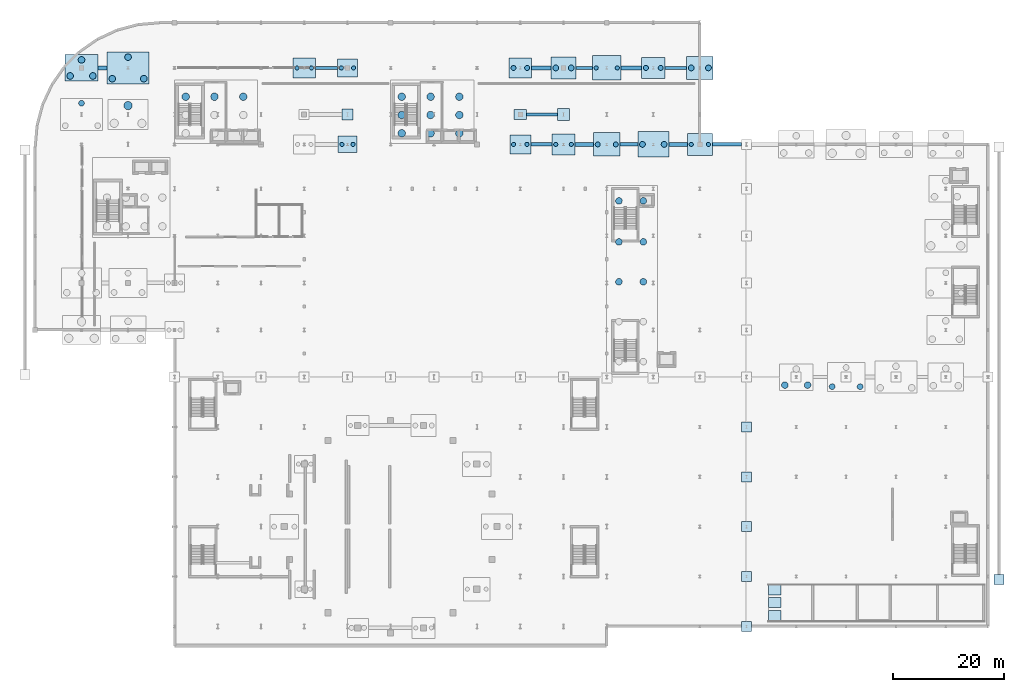
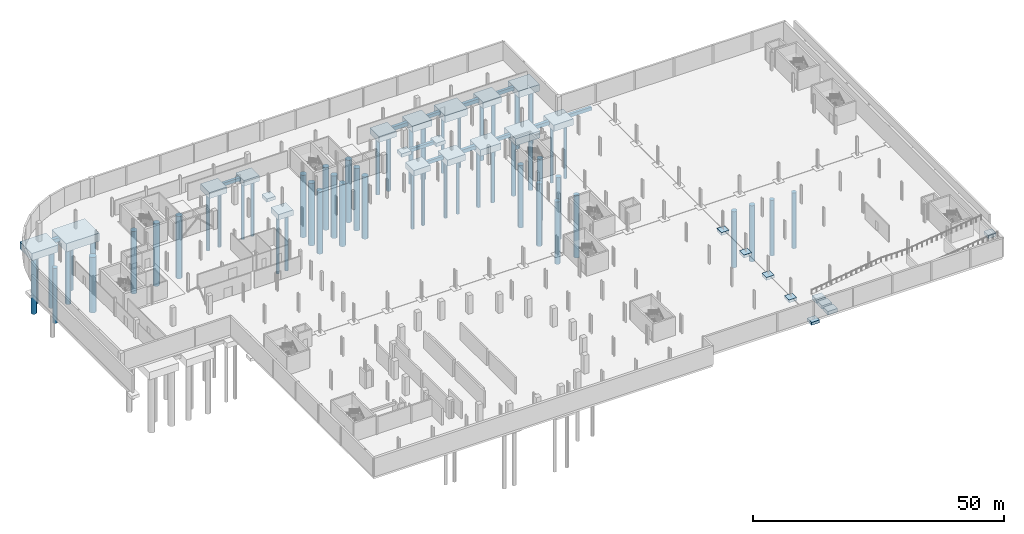
# One storey, part 2 of 45: 56 piles, 39 footings.
"""IFC4 building model written with IfcOpenShell, lengths in metres."""

from ifc_helpers import new_model, si_unit, direction, frame, origin, origin_2d, place, context, subcontext, project, spatial, rectangle, circle, extrude, material, material_profile, profile_set, type_object, element, save


model = new_model("IFC4")

# Units and contexts
model_context = context("Model", 3, precision=1e-05, world=origin(), true_north=direction((0.0, 1.0)))
body_context = subcontext(model_context, "Body", "Model", "MODEL_VIEW")
ifc_project = project(units=[si_unit("LENGTHUNIT", "METRE"), si_unit("AREAUNIT", "SQUARE_METRE"), si_unit("VOLUMEUNIT", "CUBIC_METRE"), si_unit("PLANEANGLEUNIT", "RADIAN"), si_unit("MASSUNIT", "GRAM", prefix="KILO")], contexts=[model_context])

# Site, building, storey
site_placement = place(None, origin())
site = spatial("IfcSite", under=ifc_project, at=site_placement, CompositionType="ELEMENT")
building_placement = place(site_placement, origin())
building = spatial("IfcBuilding", under=site, at=building_placement, Name="Sefraquen Railside Congress Hotel", CompositionType="ELEMENT")
storey_placement = place(building_placement, frame((0.0, 0.0, -4.5)))
storey = spatial("IfcBuildingStorey", under=building, at=storey_placement, Name="B01", CompositionType="ELEMENT", Elevation=-4.5)

# Footings
ifc_material_1 = material(Name="Concrete C40/50", Category="concrete")
footing_type_1 = type_object("IfcFootingType", Name="TF-FB-01", PredefinedType="FOOTING_BEAM", material=ifc_material_1)
footing_1_placement = place(storey_placement, frame((91.39990234375, 96.0, -1.5), z_axis=(0.0, 0.0, 1.0), x_axis=(1.0, 0.0, 0.0)))
element("IfcFooting", 1, at=footing_1_placement, inside=storey, type_object=footing_type_1, Name="Foundation tie beam FTG-FB-011", PredefinedType="FOOTING_BEAM", context=body_context, shape_type="SweptSolid", body=[
    extrude(rectangle(XDim=3.798095703125, YDim=0.60009765625, at=origin_2d()), origin(), (0.0, 0.0, 1.0), 0.800048828125),
])
footing_2_placement = place(storey_placement, frame((107.199951171875, 96.0, -1.5), z_axis=(0.0, 0.0, 1.0), x_axis=(1.0, 0.0, 0.0)))
element("IfcFooting", 2, at=footing_2_placement, inside=storey, type_object=footing_type_1, Name="Foundation tie beam FTG-FB-013", PredefinedType="FOOTING_BEAM", context=body_context, shape_type="SweptSolid", body=[
    extrude(rectangle(XDim=3.197998046875, YDim=0.60009765625, at=origin_2d()), origin(), (0.0, 0.0, 1.0), 0.800048828125),
])
footing_3_placement = place(storey_placement, frame((124.875, 96.0, -1.5), z_axis=(0.0, 0.0, 1.0), x_axis=(1.0, 0.0, 0.0)))
element("IfcFooting", 3, at=footing_3_placement, inside=storey, type_object=footing_type_1, Name="Foundation tie beam FTG-FB-015", PredefinedType="FOOTING_BEAM", context=body_context, shape_type="SweptSolid", body=[
    extrude(rectangle(XDim=5.248046875, YDim=0.60009765625, at=origin_2d()), origin(), (0.0, 0.0, 1.0), 0.800048828125),
])
footing_4_placement = place(storey_placement, frame((91.5, 101.39990234375, -1.5), z_axis=(0.0, 0.0, 1.0), x_axis=(1.0, 0.0, 0.0)))
element("IfcFooting", 4, at=footing_4_placement, inside=storey, type_object=footing_type_1, Name="Foundation tie beam FTG-FB-021", PredefinedType="FOOTING_BEAM", context=body_context, shape_type="SweptSolid", body=[
    extrude(rectangle(XDim=5.597900390625, YDim=0.60009765625, at=origin_2d()), origin(), (0.0, 0.0, 1.0), 0.800048828125),
])
footing_5_placement = place(storey_placement, frame((52.60009765625, 109.800048828125, -1.5), z_axis=(0.0, 0.0, 1.0), x_axis=(1.0, 0.0, 0.0)))
element("IfcFooting", 5, at=footing_5_placement, inside=storey, type_object=footing_type_1, Name="Foundation tie beam FTG-FB-023", PredefinedType="FOOTING_BEAM", context=body_context, shape_type="SweptSolid", body=[
    extrude(rectangle(XDim=3.998046875, YDim=0.60009765625, at=origin_2d()), origin(), (0.0, 0.0, 1.0), 0.800048828125),
])
footing_6_placement = place(storey_placement, frame((99.125, 109.800048828125, -1.5), z_axis=(0.0, 0.0, 1.0), x_axis=(1.0, 0.0, 0.0)))
element("IfcFooting", 6, at=footing_6_placement, inside=storey, type_object=footing_type_1, Name="Foundation tie beam FTG-FB-025", PredefinedType="FOOTING_BEAM", context=body_context, shape_type="SweptSolid", body=[
    extrude(rectangle(XDim=2.947998046875, YDim=0.60009765625, at=origin_2d()), origin(), (0.0, 0.0, 1.0), 0.800048828125),
])
footing_7_placement = place(storey_placement, frame((115.64990234375, 109.800048828125, -1.5), z_axis=(0.0, 0.0, 1.0), x_axis=(1.0, 0.0, 0.0)))
element("IfcFooting", 7, at=footing_7_placement, inside=storey, type_object=footing_type_1, Name="Foundation tie beam FTG-FB-027", PredefinedType="FOOTING_BEAM", context=body_context, shape_type="SweptSolid", body=[
    extrude(rectangle(XDim=3.89794921875, YDim=0.60009765625, at=origin_2d()), origin(), (0.0, 0.0, 1.0), 0.800048828125),
])
footing_type_2 = type_object("IfcFootingType", Name="TF-FB-02", PredefinedType="FOOTING_BEAM", material=ifc_material_1)
footing_8_placement = place(storey_placement, frame((99.14990234375, 96.0, -1.599853515625), z_axis=(0.0, 0.0, 1.0), x_axis=(1.0, 0.0, 0.0)))
element("IfcFooting", 8, at=footing_8_placement, inside=storey, type_object=footing_type_2, Name="Foundation tie beam FTG-FB-012", PredefinedType="FOOTING_BEAM", context=body_context, shape_type="SweptSolid", body=[
    extrude(rectangle(XDim=3.298095703125, YDim=0.699951171875, at=origin_2d()), origin(), (0.0, 0.0, 1.0), 0.89990234375),
])
footing_9_placement = place(storey_placement, frame((116.074951171875, 96.0, -1.599853515625), z_axis=(0.0, 0.0, 1.0), x_axis=(1.0, 0.0, 0.0)))
element("IfcFooting", 9, at=footing_9_placement, inside=storey, type_object=footing_type_2, Name="Foundation tie beam FTG-FB-014", PredefinedType="FOOTING_BEAM", context=body_context, shape_type="SweptSolid", body=[
    extrude(rectangle(XDim=3.347900390625, YDim=0.699951171875, at=origin_2d()), origin(), (0.0, 0.0, 1.0), 0.89990234375),
])
footing_10_placement = place(storey_placement, frame((12.199951171875, 109.800048828125, -1.599853515625), z_axis=(0.0, 0.0, 1.0), x_axis=(1.0, 0.0, 0.0)))
element("IfcFooting", 10, at=footing_10_placement, inside=storey, type_object=footing_type_2, Name="Foundation tie beam FTG-FB-022", PredefinedType="FOOTING_BEAM", context=body_context, shape_type="SweptSolid", body=[
    extrude(rectangle(XDim=1.597900390625, YDim=0.699951171875, at=origin_2d()), origin(), (0.0, 0.0, 1.0), 0.89990234375),
])
footing_11_placement = place(storey_placement, frame((91.375, 109.800048828125, -1.599853515625), z_axis=(0.0, 0.0, 1.0), x_axis=(1.0, 0.0, 0.0)))
element("IfcFooting", 11, at=footing_11_placement, inside=storey, type_object=footing_type_2, Name="Foundation tie beam FTG-FB-024", PredefinedType="FOOTING_BEAM", context=body_context, shape_type="SweptSolid", body=[
    extrude(rectangle(XDim=3.548095703125, YDim=0.699951171875, at=origin_2d()), origin(), (0.0, 0.0, 1.0), 0.89990234375),
])
footing_12_placement = place(storey_placement, frame((107.64990234375, 109.800048828125, -1.599853515625), z_axis=(0.0, 0.0, 1.0), x_axis=(1.0, 0.0, 0.0)))
element("IfcFooting", 12, at=footing_12_placement, inside=storey, type_object=footing_type_2, Name="Foundation tie beam FTG-FB-026", PredefinedType="FOOTING_BEAM", context=body_context, shape_type="SweptSolid", body=[
    extrude(rectangle(XDim=3.697998046875, YDim=0.699951171875, at=origin_2d()), origin(), (0.0, 0.0, 1.0), 0.89990234375),
])
footing_type_3 = type_object("IfcFootingType", Name="TF-PC-05", PredefinedType="PILE_CAP", material=ifc_material_1)
footing_13_placement = place(storey_placement, frame((56.39990234375, 96.0, -2.0), z_axis=(0.0, 0.0, 1.0), x_axis=(1.0, 0.0, 0.0)))
element("IfcFooting", 13, at=footing_13_placement, inside=storey, type_object=footing_type_3, Name="Reinforced concrete pile cap FTG-PC-025", PredefinedType="PILE_CAP", context=body_context, shape_type="SweptSolid", body=[
    extrude(rectangle(XDim=3.39990234375, YDim=3.0, at=origin_2d()), origin(), (0.0, 0.0, 1.0), 1.300048828125),
])
footing_type_4 = type_object("IfcFootingType", Name="TF-PC-06", PredefinedType="PILE_CAP", material=ifc_material_1)
footing_14_placement = place(storey_placement, frame((56.39990234375, 109.800048828125, -2.050048828125), z_axis=(0.0, 0.0, 1.0), x_axis=(1.0, 0.0, 0.0)))
element("IfcFooting", 14, at=footing_14_placement, inside=storey, type_object=footing_type_4, Name="Reinforced concrete pile cap FTG-PC-026", PredefinedType="PILE_CAP", context=body_context, shape_type="SweptSolid", body=[
    extrude(rectangle(XDim=3.60009765625, YDim=3.199951171875, at=origin_2d()), origin(), (0.0, 0.0, 1.0), 1.35009765625),
])
footing_type_5 = type_object("IfcFootingType", Name="TF-PC-07", PredefinedType="PILE_CAP", material=ifc_material_1)
footing_15_placement = place(storey_placement, frame((87.60009765625, 96.0, -2.099853515625), z_axis=(0.0, 0.0, 1.0), x_axis=(1.0, 0.0, 0.0)))
element("IfcFooting", 15, at=footing_15_placement, inside=storey, type_object=footing_type_5, Name="Reinforced concrete pile cap FTG-PC-027", PredefinedType="PILE_CAP", context=body_context, shape_type="SweptSolid", body=[
    extrude(rectangle(XDim=3.800048828125, YDim=3.39990234375, at=origin_2d()), origin(), (0.0, 0.0, 1.0), 1.39990234375),
])
footing_type_6 = type_object("IfcFootingType", Name="TF-PC-08", PredefinedType="PILE_CAP", material=ifc_material_1)
for number, where, z_axis, x_axis, name in (
    (16, (48.60009765625, 109.800048828125, -2.14990234375), (0.0, 0.0, 1.0), (1.0, 0.0, 0.0), "Reinforced concrete pile cap FTG-PC-024"),
    (17, (87.60009765625, 109.800048828125, -2.14990234375), (0.0, 0.0, 1.0), (1.0, 0.0, 0.0), "Reinforced concrete pile cap FTG-PC-028"),
):
    element("IfcFooting", number, at=place(storey_placement, frame(where, z_axis=z_axis, x_axis=x_axis)), inside=storey, type_object=footing_type_6, Name=name, PredefinedType="PILE_CAP", context=body_context, shape_type="SweptSolid", body=[
        extrude(rectangle(XDim=4.0, YDim=3.60009765625, at=origin_2d()), origin(), (0.0, 0.0, 1.0), 1.449951171875),
    ])
footing_type_7 = type_object("IfcFootingType", Name="TF-PC-09", PredefinedType="PILE_CAP", material=ifc_material_1)
for number, where, z_axis, x_axis, name in (
    (18, (95.39990234375, 96.0, -2.199951171875), (0.0, 0.0, 1.0), (1.0, 0.0, 0.0), "Reinforced concrete pile cap FTG-PC-029"),
    (19, (111.60009765625, 109.800048828125, -2.199951171875), (0.0, 0.0, 1.0), (1.0, 0.0, 0.0), "Reinforced concrete pile cap FTG-PC-034"),
):
    element("IfcFooting", number, at=place(storey_placement, frame(where, z_axis=z_axis, x_axis=x_axis)), inside=storey, type_object=footing_type_7, Name=name, PredefinedType="PILE_CAP", context=body_context, shape_type="SweptSolid", body=[
        extrude(rectangle(XDim=4.199951171875, YDim=3.800048828125, at=origin_2d()), origin(), (0.0, 0.0, 1.0), 1.5),
    ])
footing_type_8 = type_object("IfcFootingType", Name="TF-PC-10", PredefinedType="PILE_CAP", material=ifc_material_1)
for number, where, z_axis, x_axis, name in (
    (20, (95.39990234375, 109.800048828125, -2.25), (0.0, 0.0, 1.0), (1.0, 0.0, 0.0), "Reinforced concrete pile cap FTG-PC-030"),
    (21, (120.0, 96.0, -2.25), (0.0, 0.0, 1.0), (1.0, 0.0, 0.0), "Reinforced concrete pile cap FTG-PC-035"),
):
    element("IfcFooting", number, at=place(storey_placement, frame(where, z_axis=z_axis, x_axis=x_axis)), inside=storey, type_object=footing_type_8, Name=name, PredefinedType="PILE_CAP", context=body_context, shape_type="SweptSolid", body=[
        extrude(rectangle(XDim=4.5, YDim=4.0, at=origin_2d()), origin(), (0.0, 0.0, 1.0), 1.550048828125),
    ])
footing_type_9 = type_object("IfcFootingType", Name="TF-PC-11", PredefinedType="PILE_CAP", material=ifc_material_1)
for number, where, z_axis, x_axis, name in (
    (22, (103.199951171875, 96.0, -2.300048828125), (0.0, 0.0, 1.0), (1.0, 0.0, 0.0), "Reinforced concrete pile cap FTG-PC-031"),
    (23, (120.0, 109.800048828125, -2.300048828125), (0.0, 0.0, 1.0), (1.0, 0.0, 0.0), "Reinforced concrete pile cap FTG-PC-036"),
):
    element("IfcFooting", number, at=place(storey_placement, frame(where, z_axis=z_axis, x_axis=x_axis)), inside=storey, type_object=footing_type_9, Name=name, PredefinedType="PILE_CAP", context=body_context, shape_type="SweptSolid", body=[
        extrude(rectangle(XDim=4.800048828125, YDim=4.199951171875, at=origin_2d()), origin(), (0.0, 0.0, 1.0), 1.60009765625),
    ])
footing_type_10 = type_object("IfcFootingType", Name="TF-PC-12", PredefinedType="PILE_CAP", material=ifc_material_1)
footing_16_placement = place(storey_placement, frame((103.199951171875, 109.800048828125, -2.349853515625), z_axis=(0.0, 0.0, 1.0), x_axis=(1.0, 0.0, 0.0)))
element("IfcFooting", 24, at=footing_16_placement, inside=storey, type_object=footing_type_10, Name="Reinforced concrete pile cap FTG-PC-032", PredefinedType="PILE_CAP", context=body_context, shape_type="SweptSolid", body=[
    extrude(rectangle(XDim=5.199951171875, YDim=4.39990234375, at=origin_2d()), origin(), (0.0, 0.0, 1.0), 1.64990234375),
])
footing_type_11 = type_object("IfcFootingType", Name="TF-PC-13", PredefinedType="PILE_CAP", material=ifc_material_1)
footing_17_placement = place(storey_placement, frame((111.60009765625, 96.0, -2.39990234375), z_axis=(0.0, 0.0, 1.0), x_axis=(1.0, 0.0, 0.0)))
element("IfcFooting", 25, at=footing_17_placement, inside=storey, type_object=footing_type_11, Name="Reinforced concrete pile cap FTG-PC-033", PredefinedType="PILE_CAP", context=body_context, shape_type="SweptSolid", body=[
    extrude(rectangle(XDim=5.60009765625, YDim=4.60009765625, at=origin_2d()), origin(), (0.0, 0.0, 1.0), 1.699951171875),
])
footing_type_12 = type_object("IfcFootingType", Name="TF-PC-14", PredefinedType="PILE_CAP", material=ifc_material_1)
footing_18_placement = place(storey_placement, frame((8.39990234375, 109.800048828125, -2.449951171875), z_axis=(0.0, 0.0, 1.0), x_axis=(1.0, 0.0, 0.0)))
element("IfcFooting", 26, at=footing_18_placement, inside=storey, type_object=footing_type_12, Name="Reinforced concrete pile cap FTG-PC-016", PredefinedType="PILE_CAP", context=body_context, shape_type="SweptSolid", body=[
    extrude(rectangle(XDim=6.0, YDim=4.800048828125, at=origin_2d()), origin(), (0.0, 0.0, 1.0), 1.75),
])
footing_type_13 = type_object("IfcFootingType", Name="TF-PC-18", PredefinedType="PILE_CAP", material=ifc_material_1)
footing_19_placement = place(storey_placement, frame((16.800048828125, 109.800048828125, -2.699951171875), z_axis=(0.0, 0.0, 1.0), x_axis=(1.0, 0.0, 0.0)))
element("IfcFooting", 27, at=footing_19_placement, inside=storey, type_object=footing_type_13, Name="Reinforced concrete pile cap FTG-PC-020", PredefinedType="PILE_CAP", context=body_context, shape_type="SweptSolid", body=[
    extrude(rectangle(XDim=7.60009765625, YDim=5.800048828125, at=origin_2d()), origin(), (0.0, 0.0, 1.0), 2.0),
])
footing_type_14 = type_object("IfcFootingType", Name="TF-PF-01", PredefinedType="PAD_FOOTING", material=ifc_material_1)
footing_20_placement = place(storey_placement, frame((174.0, 17.5, -0.75), z_axis=(0.0, 0.0, 1.0), x_axis=(1.0, 0.0, 0.0)))
element("IfcFooting", 28, at=footing_20_placement, inside=storey, type_object=footing_type_14, Name="East walkway south corner pad footing", PredefinedType="PAD_FOOTING", context=body_context, shape_type="SweptSolid", body=[
    extrude(rectangle(XDim=1.800048828125, YDim=1.800048828125, at=origin_2d()), origin(), (0.0, 0.0, 1.0), 0.75),
])
footing_type_15 = type_object("IfcFootingType", Name="TF-PF-02", PredefinedType="PAD_FOOTING", material=ifc_material_1)
footing_21_placement = place(storey_placement, frame((56.39990234375, 101.39990234375, -1.5), z_axis=(0.0, 0.0, 1.0), x_axis=(1.0, 0.0, 0.0)))
element("IfcFooting", 29, at=footing_21_placement, inside=storey, type_object=footing_type_15, Name="Isolated pad footing FTG-PF-02", PredefinedType="PAD_FOOTING", context=body_context, shape_type="SweptSolid", body=[
    extrude(rectangle(XDim=2.0, YDim=2.0, at=origin_2d()), origin(), (0.0, 0.0, 1.0), 0.800048828125),
])
footing_type_16 = type_object("IfcFootingType", Name="TF-PF-03", PredefinedType="PAD_FOOTING", material=ifc_material_1)
for number, where, z_axis, x_axis, name in (
    (30, (87.60009765625, 101.39990234375, -1.550048828125), (0.0, 0.0, 1.0), (1.0, 0.0, 0.0), "Isolated pad footing FTG-PF-03"),
    (31, (133.52001953125, 11.0, -1.150146484375), (0.0, 0.0, 1.0), (1.0, 0.0, 0.0), "Vehicle ramp toe bearing pad footing 01"),
    (32, (133.52001953125, 13.300048828125, -1.150146484375), (0.0, 0.0, 1.0), (1.0, 0.0, 0.0), "Vehicle ramp toe bearing pad footing 02"),
    (33, (133.52001953125, 15.60009765625, -1.150146484375), (0.0, 0.0, 1.0), (1.0, 0.0, 0.0), "Vehicle ramp toe bearing pad footing 03"),
):
    element("IfcFooting", number, at=place(storey_placement, frame(where, z_axis=z_axis, x_axis=x_axis)), inside=storey, type_object=footing_type_16, Name=name, PredefinedType="PAD_FOOTING", context=body_context, shape_type="SweptSolid", body=[
        extrude(rectangle(XDim=2.199951171875, YDim=1.800048828125, at=origin_2d()), origin(), (0.0, 0.0, 1.0), 0.85009765625),
    ])
footing_type_17 = type_object("IfcFootingType", Name="TF-PF-04", PredefinedType="PAD_FOOTING", material=ifc_material_1)
footing_22_placement = place(storey_placement, frame((95.39990234375, 101.39990234375, -1.599853515625), z_axis=(0.0, 0.0, 1.0), x_axis=(1.0, 0.0, 0.0)))
element("IfcFooting", 34, at=footing_22_placement, inside=storey, type_object=footing_type_17, Name="Isolated pad footing FTG-PF-04", PredefinedType="PAD_FOOTING", context=body_context, shape_type="SweptSolid", body=[
    extrude(rectangle(XDim=2.199951171875, YDim=2.199951171875, at=origin_2d()), origin(), (0.0, 0.0, 1.0), 0.89990234375),
])
footing_type_18 = type_object("IfcFootingType", Name="TF-PF-05", PredefinedType="PAD_FOOTING", material=ifc_material_1)
for number, where, z_axis, x_axis, name in (
    (35, (128.39990234375, 9.0, -0.7001953125), (0.0, 0.0, 1.0), (1.0, 0.0, 0.0), "Movement joint column foundation pedestal 19"),
    (36, (128.39990234375, 18.0, -0.7001953125), (0.0, 0.0, 1.0), (1.0, 0.0, 0.0), "Movement joint column foundation pedestal 20"),
    (37, (128.39990234375, 27.0, -0.7001953125), (0.0, 0.0, 1.0), (1.0, 0.0, 0.0), "Movement joint column foundation pedestal 21"),
    (38, (128.39990234375, 36.0, -0.7001953125), (0.0, 0.0, 1.0), (1.0, 0.0, 0.0), "Movement joint column foundation pedestal 22"),
    (39, (128.39990234375, 45.0, -0.7001953125), (0.0, 0.0, 1.0), (1.0, 0.0, 0.0), "Movement joint column foundation pedestal 23"),
):
    element("IfcFooting", number, at=place(storey_placement, frame(where, z_axis=z_axis, x_axis=x_axis)), inside=storey, type_object=footing_type_18, Name=name, PredefinedType="PAD_FOOTING", context=body_context, shape_type="SweptSolid", body=[
        extrude(rectangle(XDim=1.800048828125, YDim=1.800048828125, at=origin_2d()), origin(), (0.0, 0.0, 1.0), 0.699951171875),
    ])

# Piles
ifc_material_2 = material(Name="Concrete C35/45", Category="concrete")
ifc_material_profile_1 = material_profile(ifc_material_2, circle(Radius=0.52490234375, at=origin_2d()), Name="BORED PILE 1050")
ifc_profile_set_1 = profile_set([ifc_material_profile_1], Name="Concrete C35/45")
pile_type_1 = type_object("IfcPileType", Name="TPL-BP-1050", PredefinedType="BORED", material=ifc_profile_set_1)
for number, where, z_axis, x_axis, name in (
    (40, (143.875, 52.27490234375, -2.449951171875), (0.0, 0.0, -1.0), (1.0, 0.0, 0.0), "Bored foundation pile PIL-B01-043"),
    (41, (148.925048828125, 52.27490234375, -2.449951171875), (0.0, 0.0, -1.0), (1.0, 0.0, 0.0), "Bored foundation pile PIL-B01-044"),
):
    element("IfcPile", number, at=place(storey_placement, frame(where, z_axis=z_axis, x_axis=x_axis)), inside=storey, type_object=pile_type_1, Name=name, PredefinedType="BORED", context=body_context, shape_type="SweptSolid", body=[
        extrude(circle(Radius=0.52490234375, at=origin_2d()), origin(), (0.0, 0.0, 1.0), 13.550048828125),
    ])
pile_1_placement = place(storey_placement, frame((8.39990234375, 103.425048828125, -2.60009765625), z_axis=(0.0, 0.0, -1.0), x_axis=(1.0, 0.0, 0.0)))
element("IfcPile", 42, at=pile_1_placement, inside=storey, type_object=pile_type_1, Name="Bored foundation pile PIL-B01-081", PredefinedType="BORED", context=body_context, shape_type="SweptSolid", body=[
    extrude(circle(Radius=0.52490234375, at=origin_2d()), origin(), (0.0, 0.0, 1.0), 13.39990234375),
])
for number, where, z_axis, x_axis, name in (
    (43, (93.9951171875, 109.800048828125, -2.14990234375), (0.0, 0.0, -1.0), (1.0, 0.0, 0.0), "Bored foundation pile PIL-B01-115"),
    (44, (96.804931640625, 109.800048828125, -2.14990234375), (0.0, 0.0, -1.0), (1.0, 0.0, 0.0), "Bored foundation pile PIL-B01-116"),
):
    element("IfcPile", number, at=place(storey_placement, frame(where, z_axis=z_axis, x_axis=x_axis)), inside=storey, type_object=pile_type_1, Name=name, PredefinedType="BORED", context=body_context, shape_type="SweptSolid", body=[
        extrude(circle(Radius=0.52490234375, at=origin_2d()), origin(), (0.0, 0.0, 1.0), 13.85009765625),
    ])
for number, where, z_axis, x_axis, name in (
    (45, (109.64501953125, 96.0, -2.300048828125), (0.0, 0.0, -1.0), (1.0, 0.0, 0.0), "Bored foundation pile PIL-B01-121"),
    (46, (113.554931640625, 96.0, -2.300048828125), (0.0, 0.0, -1.0), (1.0, 0.0, 0.0), "Bored foundation pile PIL-B01-122"),
):
    element("IfcPile", number, at=place(storey_placement, frame(where, z_axis=z_axis, x_axis=x_axis)), inside=storey, type_object=pile_type_1, Name=name, PredefinedType="BORED", context=body_context, shape_type="SweptSolid", body=[
        extrude(circle(Radius=0.52490234375, at=origin_2d()), origin(), (0.0, 0.0, 1.0), 13.699951171875),
    ])
for number, where, z_axis, x_axis, name in (
    (47, (118.445068359375, 109.800048828125, -2.199951171875), (0.0, 0.0, -1.0), (1.0, 0.0, 0.0), "Bored foundation pile PIL-B01-127"),
    (48, (121.554931640625, 109.800048828125, -2.199951171875), (0.0, 0.0, -1.0), (1.0, 0.0, 0.0), "Bored foundation pile PIL-B01-128"),
):
    element("IfcPile", number, at=place(storey_placement, frame(where, z_axis=z_axis, x_axis=x_axis)), inside=storey, type_object=pile_type_1, Name=name, PredefinedType="BORED", context=body_context, shape_type="SweptSolid", body=[
        extrude(circle(Radius=0.52490234375, at=origin_2d()), origin(), (0.0, 0.0, 1.0), 13.800048828125),
    ])
ifc_material_profile_2 = material_profile(ifc_material_2, circle(Radius=0.60009765625, at=origin_2d()), Name="BORED PILE 1200")
ifc_profile_set_2 = profile_set([ifc_material_profile_2], Name="Concrete C35/45")
pile_type_2 = type_object("IfcPileType", Name="TPL-BP-1200", PredefinedType="BORED", material=ifc_profile_set_2)
for number, where, z_axis, x_axis, name in (
    (49, (105.39990234375, 71.199951171875, -0.800048828125), (0.0, 0.0, -1.0), (1.0, 0.0, 0.0), "Bored foundation pile PIL-B01-029"),
    (50, (105.39990234375, 78.39990234375, -0.800048828125), (0.0, 0.0, -1.0), (1.0, 0.0, 0.0), "Bored foundation pile PIL-B01-030"),
    (51, (105.39990234375, 85.800048828125, -0.800048828125), (0.0, 0.0, -1.0), (1.0, 0.0, 0.0), "Bored foundation pile PIL-B01-031"),
    (52, (109.800048828125, 71.199951171875, -0.800048828125), (0.0, 0.0, -1.0), (1.0, 0.0, 0.0), "Bored foundation pile PIL-B01-034"),
    (53, (109.800048828125, 78.39990234375, -0.800048828125), (0.0, 0.0, -1.0), (1.0, 0.0, 0.0), "Bored foundation pile PIL-B01-035"),
    (54, (109.800048828125, 85.800048828125, -0.800048828125), (0.0, 0.0, -1.0), (1.0, 0.0, 0.0), "Bored foundation pile PIL-B01-036"),
):
    element("IfcPile", number, at=place(storey_placement, frame(where, z_axis=z_axis, x_axis=x_axis)), inside=storey, type_object=pile_type_2, Name=name, PredefinedType="BORED", context=body_context, shape_type="SweptSolid", body=[
        extrude(circle(Radius=0.60009765625, at=origin_2d()), origin(), (0.0, 0.0, 1.0), 15.199951171875),
    ])
for number, where, z_axis, x_axis, name in (
    (55, (135.35009765625, 52.550048828125, -2.35009765625), (0.0, 0.0, -1.0), (1.0, 0.0, 0.0), "Bored foundation pile PIL-B01-037"),
    (56, (139.449951171875, 52.550048828125, -2.35009765625), (0.0, 0.0, -1.0), (1.0, 0.0, 0.0), "Bored foundation pile PIL-B01-038"),
    (57, (6.35009765625, 108.35009765625, -2.35009765625), (0.0, 0.0, -1.0), (1.0, 0.0, 0.0), "Bored foundation pile PIL-B01-082"),
    (58, (10.449951171875, 108.35009765625, -2.35009765625), (0.0, 0.0, -1.0), (1.0, 0.0, 0.0), "Bored foundation pile PIL-B01-083"),
    (59, (8.39990234375, 111.25, -2.35009765625), (0.0, 0.0, -1.0), (1.0, 0.0, 0.0), "Bored foundation pile PIL-B01-084"),
):
    element("IfcPile", number, at=place(storey_placement, frame(where, z_axis=z_axis, x_axis=x_axis)), inside=storey, type_object=pile_type_2, Name=name, PredefinedType="BORED", context=body_context, shape_type="SweptSolid", body=[
        extrude(circle(Radius=0.60009765625, at=origin_2d()), origin(), (0.0, 0.0, 1.0), 13.64990234375),
    ])
for number, where, z_axis, x_axis, name in (
    (60, (13.949951171875, 107.85009765625, -2.60009765625), (0.0, 0.0, -1.0), (1.0, 0.0, 0.0), "Bored foundation pile PIL-B01-094"),
    (61, (19.64990234375, 107.85009765625, -2.60009765625), (0.0, 0.0, -1.0), (1.0, 0.0, 0.0), "Bored foundation pile PIL-B01-095"),
    (62, (16.800048828125, 111.75, -2.60009765625), (0.0, 0.0, -1.0), (1.0, 0.0, 0.0), "Bored foundation pile PIL-B01-096"),
):
    element("IfcPile", number, at=place(storey_placement, frame(where, z_axis=z_axis, x_axis=x_axis)), inside=storey, type_object=pile_type_2, Name=name, PredefinedType="BORED", context=body_context, shape_type="SweptSolid", body=[
        extrude(circle(Radius=0.60009765625, at=origin_2d()), origin(), (0.0, 0.0, 1.0), 13.39990234375),
    ])
ifc_material_profile_3 = material_profile(ifc_material_2, circle(Radius=0.675048828125, at=origin_2d()), Name="BORED PILE 1350")
ifc_profile_set_3 = profile_set([ifc_material_profile_3], Name="Concrete C35/45")
pile_type_3 = type_object("IfcPileType", Name="TPL-BP-1350", PredefinedType="BORED", material=ifc_profile_set_3)
for number, where, z_axis, x_axis, name in (
    (63, (27.199951171875, 104.60009765625, -0.800048828125), (0.0, 0.0, -1.0), (1.0, 0.0, 0.0), "Bored foundation pile PIL-B01-011"),
    (64, (32.39990234375, 104.60009765625, -0.800048828125), (0.0, 0.0, -1.0), (1.0, 0.0, 0.0), "Bored foundation pile PIL-B01-014"),
    (65, (37.60009765625, 104.60009765625, -0.800048828125), (0.0, 0.0, -1.0), (1.0, 0.0, 0.0), "Bored foundation pile PIL-B01-017"),
    (66, (66.199951171875, 98.0, -0.800048828125), (0.0, 0.0, -1.0), (1.0, 0.0, 0.0), "Bored foundation pile PIL-B01-018"),
    (67, (66.199951171875, 101.300048828125, -0.800048828125), (0.0, 0.0, -1.0), (1.0, 0.0, 0.0), "Bored foundation pile PIL-B01-019"),
    (68, (66.199951171875, 104.60009765625, -0.800048828125), (0.0, 0.0, -1.0), (1.0, 0.0, 0.0), "Bored foundation pile PIL-B01-020"),
    (69, (71.39990234375, 98.0, -0.800048828125), (0.0, 0.0, -1.0), (1.0, 0.0, 0.0), "Bored foundation pile PIL-B01-021"),
    (70, (71.39990234375, 101.300048828125, -0.800048828125), (0.0, 0.0, -1.0), (1.0, 0.0, 0.0), "Bored foundation pile PIL-B01-022"),
    (71, (71.39990234375, 104.60009765625, -0.800048828125), (0.0, 0.0, -1.0), (1.0, 0.0, 0.0), "Bored foundation pile PIL-B01-023"),
    (72, (76.60009765625, 98.0, -0.800048828125), (0.0, 0.0, -1.0), (1.0, 0.0, 0.0), "Bored foundation pile PIL-B01-024"),
    (73, (76.60009765625, 101.300048828125, -0.800048828125), (0.0, 0.0, -1.0), (1.0, 0.0, 0.0), "Bored foundation pile PIL-B01-025"),
    (74, (76.60009765625, 104.60009765625, -0.800048828125), (0.0, 0.0, -1.0), (1.0, 0.0, 0.0), "Bored foundation pile PIL-B01-026"),
):
    element("IfcPile", number, at=place(storey_placement, frame(where, z_axis=z_axis, x_axis=x_axis)), inside=storey, type_object=pile_type_3, Name=name, PredefinedType="BORED", context=body_context, shape_type="SweptSolid", body=[
        extrude(circle(Radius=0.675048828125, at=origin_2d()), origin(), (0.0, 0.0, 1.0), 15.199951171875),
    ])
ifc_material_profile_4 = material_profile(ifc_material_2, circle(Radius=0.75, at=origin_2d()), Name="BORED PILE 1500")
ifc_profile_set_4 = profile_set([ifc_material_profile_4], Name="Concrete C35/45")
pile_type_4 = type_object("IfcPileType", Name="TPL-BP-1500", PredefinedType="BORED", material=ifc_profile_set_4)
pile_2_placement = place(storey_placement, frame((16.800048828125, 103.0, -2.5), z_axis=(0.0, 0.0, -1.0), x_axis=(1.0, 0.0, 0.0)))
element("IfcPile", 75, at=pile_2_placement, inside=storey, type_object=pile_type_4, Name="Bored foundation pile PIL-B01-093", PredefinedType="BORED", context=body_context, shape_type="SweptSolid", body=[
    extrude(circle(Radius=0.75, at=origin_2d()), origin(), (0.0, 0.0, 1.0), 13.5),
])
ifc_material_profile_5 = material_profile(ifc_material_2, circle(Radius=0.375, at=origin_2d()), Name="BORED PILE 750")
ifc_profile_set_5 = profile_set([ifc_material_profile_5], Name="Concrete C35/45")
pile_type_5 = type_object("IfcPileType", Name="TPL-BP-750", PredefinedType="BORED", material=ifc_profile_set_5)
for number, where, z_axis, x_axis, name in (
    (76, (47.294921875, 109.800048828125, -2.050048828125), (0.0, 0.0, -1.0), (1.0, 0.0, 0.0), "Bored foundation pile PIL-B01-103"),
    (77, (49.905029296875, 109.800048828125, -2.050048828125), (0.0, 0.0, -1.0), (1.0, 0.0, 0.0), "Bored foundation pile PIL-B01-104"),
):
    element("IfcPile", number, at=place(storey_placement, frame(where, z_axis=z_axis, x_axis=x_axis)), inside=storey, type_object=pile_type_5, Name=name, PredefinedType="BORED", context=body_context, shape_type="SweptSolid", body=[
        extrude(circle(Radius=0.375, at=origin_2d()), origin(), (0.0, 0.0, 1.0), 13.949951171875),
    ])
for number, where, z_axis, x_axis, name in (
    (78, (55.39501953125, 96.0, -1.89990234375), (0.0, 0.0, -1.0), (1.0, 0.0, 0.0), "Bored foundation pile PIL-B01-105"),
    (79, (57.405029296875, 96.0, -1.89990234375), (0.0, 0.0, -1.0), (1.0, 0.0, 0.0), "Bored foundation pile PIL-B01-106"),
):
    element("IfcPile", number, at=place(storey_placement, frame(where, z_axis=z_axis, x_axis=x_axis)), inside=storey, type_object=pile_type_5, Name=name, PredefinedType="BORED", context=body_context, shape_type="SweptSolid", body=[
        extrude(circle(Radius=0.375, at=origin_2d()), origin(), (0.0, 0.0, 1.0), 14.10009765625),
    ])
for number, where, z_axis, x_axis, name in (
    (80, (55.294921875, 109.800048828125, -1.949951171875), (0.0, 0.0, -1.0), (1.0, 0.0, 0.0), "Bored foundation pile PIL-B01-107"),
    (81, (57.5048828125, 109.800048828125, -1.949951171875), (0.0, 0.0, -1.0), (1.0, 0.0, 0.0), "Bored foundation pile PIL-B01-108"),
):
    element("IfcPile", number, at=place(storey_placement, frame(where, z_axis=z_axis, x_axis=x_axis)), inside=storey, type_object=pile_type_5, Name=name, PredefinedType="BORED", context=body_context, shape_type="SweptSolid", body=[
        extrude(circle(Radius=0.375, at=origin_2d()), origin(), (0.0, 0.0, 1.0), 14.050048828125),
    ])
for number, where, z_axis, x_axis, name in (
    (82, (86.39501953125, 96.0, -2.0), (0.0, 0.0, -1.0), (1.0, 0.0, 0.0), "Bored foundation pile PIL-B01-109"),
    (83, (88.804931640625, 96.0, -2.0), (0.0, 0.0, -1.0), (1.0, 0.0, 0.0), "Bored foundation pile PIL-B01-110"),
):
    element("IfcPile", number, at=place(storey_placement, frame(where, z_axis=z_axis, x_axis=x_axis)), inside=storey, type_object=pile_type_5, Name=name, PredefinedType="BORED", context=body_context, shape_type="SweptSolid", body=[
        extrude(circle(Radius=0.375, at=origin_2d()), origin(), (0.0, 0.0, 1.0), 14.0),
    ])
for number, where, z_axis, x_axis, name in (
    (84, (93.9951171875, 96.0, -2.10009765625), (0.0, 0.0, -1.0), (1.0, 0.0, 0.0), "Bored foundation pile PIL-B01-113"),
    (85, (96.804931640625, 96.0, -2.10009765625), (0.0, 0.0, -1.0), (1.0, 0.0, 0.0), "Bored foundation pile PIL-B01-114"),
):
    element("IfcPile", number, at=place(storey_placement, frame(where, z_axis=z_axis, x_axis=x_axis)), inside=storey, type_object=pile_type_5, Name=name, PredefinedType="BORED", context=body_context, shape_type="SweptSolid", body=[
        extrude(circle(Radius=0.375, at=origin_2d()), origin(), (0.0, 0.0, 1.0), 13.89990234375),
    ])
for number, where, z_axis, x_axis, name in (
    (86, (101.294921875, 109.800048828125, -2.25), (0.0, 0.0, -1.0), (1.0, 0.0, 0.0), "Bored foundation pile PIL-B01-119"),
    (87, (105.10498046875, 109.800048828125, -2.25), (0.0, 0.0, -1.0), (1.0, 0.0, 0.0), "Bored foundation pile PIL-B01-120"),
):
    element("IfcPile", number, at=place(storey_placement, frame(where, z_axis=z_axis, x_axis=x_axis)), inside=storey, type_object=pile_type_5, Name=name, PredefinedType="BORED", context=body_context, shape_type="SweptSolid", body=[
        extrude(circle(Radius=0.375, at=origin_2d()), origin(), (0.0, 0.0, 1.0), 13.75),
    ])
for number, where, z_axis, x_axis, name in (
    (88, (118.445068359375, 96.0, -2.14990234375), (0.0, 0.0, -1.0), (1.0, 0.0, 0.0), "Bored foundation pile PIL-B01-125"),
    (89, (121.554931640625, 96.0, -2.14990234375), (0.0, 0.0, -1.0), (1.0, 0.0, 0.0), "Bored foundation pile PIL-B01-126"),
):
    element("IfcPile", number, at=place(storey_placement, frame(where, z_axis=z_axis, x_axis=x_axis)), inside=storey, type_object=pile_type_5, Name=name, PredefinedType="BORED", context=body_context, shape_type="SweptSolid", body=[
        extrude(circle(Radius=0.375, at=origin_2d()), origin(), (0.0, 0.0, 1.0), 13.85009765625),
    ])
ifc_material_profile_6 = material_profile(ifc_material_2, circle(Radius=0.449951171875, at=origin_2d()), Name="BORED PILE 900")
ifc_profile_set_6 = profile_set([ifc_material_profile_6], Name="Concrete C35/45")
pile_type_6 = type_object("IfcPileType", Name="TPL-BP-900", PredefinedType="BORED", material=ifc_profile_set_6)
for number, where, z_axis, x_axis, name in (
    (90, (86.3701171875, 109.800048828125, -2.050048828125), (0.0, 0.0, -1.0), (1.0, 0.0, 0.0), "Bored foundation pile PIL-B01-111"),
    (91, (88.830078125, 109.800048828125, -2.050048828125), (0.0, 0.0, -1.0), (1.0, 0.0, 0.0), "Bored foundation pile PIL-B01-112"),
):
    element("IfcPile", number, at=place(storey_placement, frame(where, z_axis=z_axis, x_axis=x_axis)), inside=storey, type_object=pile_type_6, Name=name, PredefinedType="BORED", context=body_context, shape_type="SweptSolid", body=[
        extrude(circle(Radius=0.449951171875, at=origin_2d()), origin(), (0.0, 0.0, 1.0), 13.949951171875),
    ])
for number, where, z_axis, x_axis, name in (
    (92, (101.570068359375, 96.0, -2.199951171875), (0.0, 0.0, -1.0), (1.0, 0.0, 0.0), "Bored foundation pile PIL-B01-117"),
    (93, (104.830078125, 96.0, -2.199951171875), (0.0, 0.0, -1.0), (1.0, 0.0, 0.0), "Bored foundation pile PIL-B01-118"),
):
    element("IfcPile", number, at=place(storey_placement, frame(where, z_axis=z_axis, x_axis=x_axis)), inside=storey, type_object=pile_type_6, Name=name, PredefinedType="BORED", context=body_context, shape_type="SweptSolid", body=[
        extrude(circle(Radius=0.449951171875, at=origin_2d()), origin(), (0.0, 0.0, 1.0), 13.800048828125),
    ])
for number, where, z_axis, x_axis, name in (
    (94, (110.27001953125, 109.800048828125, -2.10009765625), (0.0, 0.0, -1.0), (1.0, 0.0, 0.0), "Bored foundation pile PIL-B01-123"),
    (95, (112.929931640625, 109.800048828125, -2.10009765625), (0.0, 0.0, -1.0), (1.0, 0.0, 0.0), "Bored foundation pile PIL-B01-124"),
):
    element("IfcPile", number, at=place(storey_placement, frame(where, z_axis=z_axis, x_axis=x_axis)), inside=storey, type_object=pile_type_6, Name=name, PredefinedType="BORED", context=body_context, shape_type="SweptSolid", body=[
        extrude(circle(Radius=0.449951171875, at=origin_2d()), origin(), (0.0, 0.0, 1.0), 13.89990234375),
    ])

save(model, "model.ifc")
